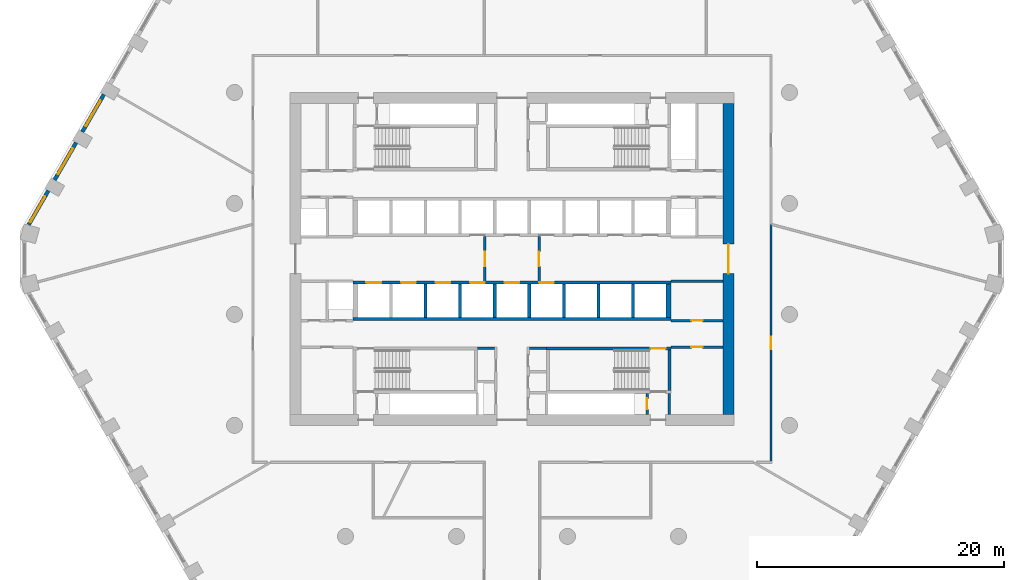
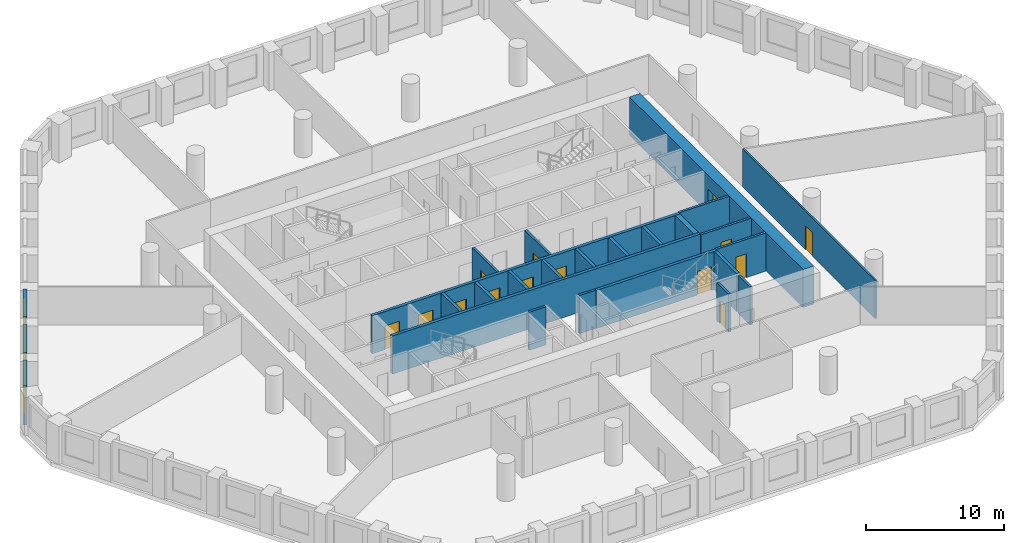
# One storey, part 4 of 9: 26 walls, 14 doors, 3 windows, 17 openings.
"""IFC4 building model written with IfcOpenShell, lengths in metres."""

from ifc_helpers import new_model, si_unit, direction, frame, frame_2d, origin, place, context, subcontext, project, spatial, polyline, rectangle, outline, extrude, material, layer, layer_set, type_object, element, fill, save


model = new_model("IFC4")

# Units and contexts
model_context = context("Model", 3, precision=1e-05, world=origin(), true_north=direction((0.0, 1.0)))
body_context = subcontext(model_context, "Body", "Model", "MODEL_VIEW")
ifc_project = project(units=[si_unit("LENGTHUNIT", "METRE"), si_unit("AREAUNIT", "SQUARE_METRE"), si_unit("VOLUMEUNIT", "CUBIC_METRE"), si_unit("PLANEANGLEUNIT", "RADIAN"), si_unit("MASSUNIT", "GRAM", prefix="KILO")], contexts=[model_context])

# Site, building, storey
site_placement = place(None, origin())
site = spatial("IfcSite", under=ifc_project, at=site_placement, CompositionType="ELEMENT")
building_placement = place(site_placement, origin())
building = spatial("IfcBuilding", under=site, at=building_placement, Name="Dhurran Vertical Campus", CompositionType="ELEMENT")
storey_placement = place(building_placement, frame((0.0, 0.0, 124.199951171875)))
storey = spatial("IfcBuildingStorey", under=building, at=storey_placement, Name="L30", CompositionType="ELEMENT", Elevation=124.199951171875)

# Wall, opening, window
ifc_material_1 = material(Name="Precast concrete C50/60", Category="concrete")
ifc_layer_1 = layer(ifc_material_1, 0.300048828125)
ifc_layer_set_1 = layer_set([ifc_layer_1], Name="Precast concrete C50/60")
wall_type_1 = type_object("IfcWallType", Name="Precast spandrel wall 300", PredefinedType="SOLIDWALL", material=ifc_layer_set_1)
wall_1_placement = place(storey_placement, frame((-33.09423828125, 13.3330078125, 0.0), z_axis=(0.0, 0.0, 1.0), x_axis=(-0.499996256241, -0.866027565234, 0.0)))
wall_1 = element("IfcWall", 1, at=wall_1_placement, inside=storey, type_object=wall_type_1, Name="EW1 L30.40", PredefinedType="SOLIDWALL", context=body_context, shape_type="SweptSolid", body=[
    extrude(rectangle(XDim=3.4990234375, YDim=0.300048828125, at=frame_2d((1.74951171875, 0.0))), origin(), (0.0, 0.0, 1.0), 3.5),
])
opening_1_placement = place(wall_1_placement, frame((0.549560546875, 0.0, 0.89990234375)))
opening_1 = element("IfcOpeningElement", 2, at=opening_1_placement, cuts=wall_1, Name="Opening WT1", PredefinedType="OPENING", context=body_context, shape_type="SweptSolid", body=[
    extrude(rectangle(XDim=2.39990234375, YDim=2.10009765625, at=frame_2d((1.199951171875, 1.050048828125))), frame((0.0, 0.159912109375, 0.0), z_axis=(0.0, -1.0, 0.0), x_axis=(1.0, 0.0, 0.0)), (0.0, 0.0, 1.0), 0.320068359375),
])
ifc_material_2 = material(Name="Aluminium frame with solar-control glass", Category="aluminium")
window_type = type_object("IfcWindowType", Name="Punched window 2400 x 2100", PartitioningType="SINGLE_PANEL", PredefinedType="WINDOW", material=ifc_material_2)
window_1_placement = place(opening_1_placement, origin())
window_1 = element("IfcWindow", 3, at=window_1_placement, inside=storey, type_object=window_type, Name="WT1 L30.40", OverallHeight=2.10009765625, OverallWidth=2.39990234375, PartitioningType="SINGLE_PANEL", PredefinedType="WINDOW", context=body_context, shape_type="SweptSolid", body=[
    extrude(rectangle(XDim=2.39990234375, YDim=2.10009765625, at=frame_2d((1.199951171875, 1.050048828125))), frame((0.0, 0.030029296875, 0.0), z_axis=(0.0, -1.0, 0.0), x_axis=(1.0, 0.0, 0.0)), (0.0, 0.0, 1.0), 0.06005859375),
])
fill(opening_1, window_1)

wall_2_placement = place(storey_placement, frame((-35.34423828125, 9.435791015625, 0.0), z_axis=(0.0, 0.0, 1.0), x_axis=(-0.499996256241, -0.866027565234, 0.0)))
wall_2 = element("IfcWall", 4, at=wall_2_placement, inside=storey, type_object=wall_type_1, Name="EW1 L30.41", PredefinedType="SOLIDWALL", context=body_context, shape_type="SweptSolid", body=[
    extrude(rectangle(XDim=3.4990234375, YDim=0.300048828125, at=frame_2d((1.74951171875, 0.0))), origin(), (0.0, 0.0, 1.0), 3.5),
])
opening_2_placement = place(wall_2_placement, frame((0.549560546875, 0.0, 0.89990234375)))
opening_2 = element("IfcOpeningElement", 5, at=opening_2_placement, cuts=wall_2, Name="Opening WT1", PredefinedType="OPENING", context=body_context, shape_type="SweptSolid", body=[
    extrude(rectangle(XDim=2.39990234375, YDim=2.10009765625, at=frame_2d((1.199951171875, 1.050048828125))), frame((0.0, 0.159912109375, 0.0), z_axis=(0.0, -1.0, 0.0), x_axis=(1.0, 0.0, 0.0)), (0.0, 0.0, 1.0), 0.320068359375),
])
window_2_placement = place(opening_2_placement, origin())
window_2 = element("IfcWindow", 6, at=window_2_placement, inside=storey, type_object=window_type, Name="WT1 L30.41", OverallHeight=2.10009765625, OverallWidth=2.39990234375, PartitioningType="SINGLE_PANEL", PredefinedType="WINDOW", context=body_context, shape_type="SweptSolid", body=[
    extrude(rectangle(XDim=2.39990234375, YDim=2.10009765625, at=frame_2d((1.199951171875, 1.050048828125))), frame((0.0, 0.030029296875, 0.0), z_axis=(0.0, -1.0, 0.0), x_axis=(1.0, 0.0, 0.0)), (0.0, 0.0, 1.0), 0.06005859375),
])
fill(opening_2, window_2)

wall_3_placement = place(storey_placement, frame((-37.59423828125, 5.538818359375, 0.0), z_axis=(0.0, 0.0, 1.0), x_axis=(-0.500004907028, -0.866022570692, 0.0)))
wall_3 = element("IfcWall", 7, at=wall_3_placement, inside=storey, type_object=wall_type_1, Name="EW1 L30.42", PredefinedType="SOLIDWALL", context=body_context, shape_type="SweptSolid", body=[
    extrude(rectangle(XDim=3.1923828125, YDim=0.300048828125, at=frame_2d((1.59619140625, 0.0))), origin(), (0.0, 0.0, 1.0), 3.5),
])
opening_3_placement = place(wall_3_placement, frame((0.549560546875, 0.0, 0.89990234375)))
opening_3 = element("IfcOpeningElement", 8, at=opening_3_placement, cuts=wall_3, Name="Opening WT1", PredefinedType="OPENING", context=body_context, shape_type="SweptSolid", body=[
    extrude(rectangle(XDim=2.39990234375, YDim=2.10009765625, at=frame_2d((1.199951171875, 1.050048828125))), frame((0.0, 0.159912109375, 0.0), z_axis=(0.0, -1.0, 0.0), x_axis=(1.0, 0.0, 0.0)), (0.0, 0.0, 1.0), 0.320068359375),
])
window_3_placement = place(opening_3_placement, origin())
window_3 = element("IfcWindow", 9, at=window_3_placement, inside=storey, type_object=window_type, Name="WT1 L30.42", OverallHeight=2.10009765625, OverallWidth=2.39990234375, PartitioningType="SINGLE_PANEL", PredefinedType="WINDOW", context=body_context, shape_type="SweptSolid", body=[
    extrude(rectangle(XDim=2.39990234375, YDim=2.10009765625, at=frame_2d((1.199951171875, 1.050048828125))), frame((0.0, 0.030029296875, 0.0), z_axis=(0.0, -1.0, 0.0), x_axis=(1.0, 0.0, 0.0)), (0.0, 0.0, 1.0), 0.06005859375),
])
fill(opening_3, window_3)

# Wall, opening, door
ifc_material_3 = material(Name="Concrete C60/75", Category="concrete")
ifc_layer_2 = layer(ifc_material_3, 0.89990234375)
ifc_layer_set_2 = layer_set([ifc_layer_2], Name="Concrete C60/75")
wall_type_2 = type_object("IfcWallType", Name="co-CORE-WALL-C0-900", PredefinedType="SHEAR", material=ifc_layer_set_2)
wall_4_placement = place(storey_placement, frame((17.550048828125, -12.60009765625, 0.0), z_axis=(0.0, 0.0, 1.0), x_axis=(0.0, 1.0, 0.0)))
wall_4 = element("IfcWall", 10, at=wall_4_placement, inside=storey, type_object=wall_type_2, Name="Core wall E L30", PredefinedType="SHEAR", context=body_context, shape_type="SweptSolid", body=[
    extrude(rectangle(XDim=25.2001953125, YDim=0.89990234375, at=frame_2d((12.60009765625, 0.0))), origin(), (0.0, 0.0, 1.0), 3.375),
])
opening_4_placement = place(wall_4_placement, frame((11.39990234375, 0.0, 0.0)))
opening_4 = element("IfcOpeningElement", 11, at=opening_4_placement, cuts=wall_4, Name="Opening CL2", PredefinedType="OPENING", context=body_context, shape_type="SweptSolid", body=[
    extrude(rectangle(XDim=2.39990234375, YDim=2.10009765625, at=frame_2d((1.199951171875, 1.050048828125))), frame((0.0, 0.4599609375, 0.0), z_axis=(0.0, -1.0, 0.0), x_axis=(1.0, 0.0, 0.0)), (0.0, 0.0, 1.0), 0.919921875),
])
ifc_material_4 = material(Name="Fire-rated glazed door set")
door_type_1 = type_object("IfcDoorType", Name="co-D-LOBBY 2400x2100", OperationType="DOUBLE_DOOR_DOUBLE_SWING", PredefinedType="DOOR", material=ifc_material_4)
door_1_placement = place(opening_4_placement, origin())
door_1 = element("IfcDoor", 12, at=door_1_placement, inside=storey, type_object=door_type_1, Name="Lift lobby door E L30", OperationType="DOUBLE_DOOR_DOUBLE_SWING", OverallHeight=2.10009765625, OverallWidth=2.39990234375, PredefinedType="DOOR", context=body_context, shape_type="SweptSolid", body=[
    extrude(rectangle(XDim=2.39990234375, YDim=2.10009765625, at=frame_2d((1.199951171875, 1.050048828125))), frame((0.0, 0.02490234375, 0.0), z_axis=(0.0, -1.0, 0.0), x_axis=(1.0, 0.0, 0.0)), (0.0, 0.0, 1.0), 0.050048828125),
])
fill(opening_4, door_1)

ifc_material_5 = material(Name="Fire-rated masonry blockwork", Category="masonry")
ifc_layer_3 = layer(ifc_material_5, 0.199951171875)
ifc_layer_set_3 = layer_set([ifc_layer_3], Name="Fire-rated masonry blockwork")
wall_type_3 = type_object("IfcWallType", Name="co-FIRE-PARTITION-200", PredefinedType="PARTITIONING", material=ifc_layer_set_3)
wall_5_placement = place(storey_placement, frame((-2.199951171875, -1.800048828125, 0.0), z_axis=(0.0, 0.0, 1.0), x_axis=(0.0, 1.0, 0.0)))
wall_5 = element("IfcWall", 13, at=wall_5_placement, inside=storey, type_object=wall_type_3, Name="Firefighting lobby wall W L30", PredefinedType="PARTITIONING", context=body_context, shape_type="SweptSolid", body=[
    extrude(rectangle(XDim=3.60009765625, YDim=0.199951171875, at=frame_2d((1.800048828125, 0.0))), origin(), (0.0, 0.0, 1.0), 3.375),
])
opening_5_placement = place(wall_5_placement, frame((1.199951171875, 0.0, 0.0)))
opening_5 = element("IfcOpeningElement", 14, at=opening_5_placement, cuts=wall_5, Name="Opening FL1", PredefinedType="OPENING", context=body_context, shape_type="SweptSolid", body=[
    extrude(rectangle(XDim=1.199951171875, YDim=2.10009765625, at=frame_2d((0.60009765625, 1.050048828125))), frame((0.0, 0.10986328125, 0.0), z_axis=(0.0, -1.0, 0.0), x_axis=(1.0, 0.0, 0.0)), (0.0, 0.0, 1.0), 0.219970703125),
])
ifc_material_6 = material(Name="Fire-rated steel door set", Category="steel")
door_type_2 = type_object("IfcDoorType", Name="co-D-FFLOBBY 1200x2100", OperationType="SINGLE_SWING_LEFT", PredefinedType="DOOR", material=ifc_material_6)
door_2_placement = place(opening_5_placement, origin())
door_2 = element("IfcDoor", 15, at=door_2_placement, inside=storey, type_object=door_type_2, Name="Firefighting lobby door W L30", OperationType="SINGLE_SWING_LEFT", OverallHeight=2.10009765625, OverallWidth=1.199951171875, PredefinedType="DOOR", context=body_context, shape_type="SweptSolid", body=[
    extrude(rectangle(XDim=1.199951171875, YDim=2.10009765625, at=frame_2d((0.60009765625, 1.050048828125))), frame((0.0, 0.02490234375, 0.0), z_axis=(0.0, -1.0, 0.0), x_axis=(1.0, 0.0, 0.0)), (0.0, 0.0, 1.0), 0.050048828125),
])
fill(opening_5, door_2)

wall_6_placement = place(storey_placement, frame((2.199951171875, -1.800048828125, 0.0), z_axis=(0.0, 0.0, 1.0), x_axis=(0.0, 1.0, 0.0)))
wall_6 = element("IfcWall", 16, at=wall_6_placement, inside=storey, type_object=wall_type_3, Name="Firefighting lobby wall E L30", PredefinedType="PARTITIONING", context=body_context, shape_type="SweptSolid", body=[
    extrude(rectangle(XDim=3.60009765625, YDim=0.199951171875, at=frame_2d((1.800048828125, 0.0))), origin(), (0.0, 0.0, 1.0), 3.375),
])
opening_6_placement = place(wall_6_placement, frame((1.199951171875, 0.0, 0.0)))
opening_6 = element("IfcOpeningElement", 17, at=opening_6_placement, cuts=wall_6, Name="Opening FL2", PredefinedType="OPENING", context=body_context, shape_type="SweptSolid", body=[
    extrude(rectangle(XDim=1.199951171875, YDim=2.10009765625, at=frame_2d((0.60009765625, 1.050048828125))), frame((0.0, 0.10986328125, 0.0), z_axis=(0.0, -1.0, 0.0), x_axis=(1.0, 0.0, 0.0)), (0.0, 0.0, 1.0), 0.219970703125),
])
door_3_placement = place(opening_6_placement, origin())
door_3 = element("IfcDoor", 18, at=door_3_placement, inside=storey, type_object=door_type_2, Name="Firefighting lobby door E L30", OperationType="SINGLE_SWING_LEFT", OverallHeight=2.10009765625, OverallWidth=1.199951171875, PredefinedType="DOOR", context=body_context, shape_type="SweptSolid", body=[
    extrude(rectangle(XDim=1.199951171875, YDim=2.10009765625, at=frame_2d((0.60009765625, 1.050048828125))), frame((0.0, 0.02490234375, 0.0), z_axis=(0.0, -1.0, 0.0), x_axis=(1.0, 0.0, 0.0)), (0.0, 0.0, 1.0), 0.050048828125),
])
fill(opening_6, door_3)

# Walls
for number, where, z_axis, x_axis, name in (
    (19, (-2.800048828125, -7.25, 0.0), (0.0, 0.0, 1.0), (1.0, 0.0, 0.0), "Core partition sl-SW-S L30"),
    (20, (1.39990234375, -7.25, 0.0), (0.0, 0.0, 1.0), (1.0, 0.0, 0.0), "Core partition sl-SE-S L30"),
):
    element("IfcWall", number, at=place(storey_placement, frame(where, z_axis=z_axis, x_axis=x_axis)), inside=storey, type_object=wall_type_3, Name=name, PredefinedType="PARTITIONING", context=body_context, shape_type="SweptSolid", body=[
        extrude(rectangle(XDim=1.400146484375, YDim=0.199951171875, at=frame_2d((0.7001953125, 0.0))), origin(), (0.0, 0.0, 1.0), 3.375),
    ])
wall_7_placement = place(storey_placement, frame((12.75, -12.60009765625, 0.0), z_axis=(0.0, 0.0, 1.0), x_axis=(0.0, 1.0, 0.0)))
element("IfcWall", 21, at=wall_7_placement, inside=storey, type_object=wall_type_3, Name="Core partition pass-ST4-o L30", PredefinedType="PARTITIONING", context=body_context, shape_type="SweptSolid", body=[
    extrude(rectangle(XDim=1.7001953125, YDim=0.199951171875, at=frame_2d((0.85009765625, 0.0))), origin(), (0.0, 0.0, 1.0), 3.375),
])

# Wall, opening, door
wall_8_placement = place(storey_placement, frame((10.949951171875, -12.60009765625, 0.0), z_axis=(0.0, 0.0, 1.0), x_axis=(0.0, 1.0, 0.0)))
wall_8 = element("IfcWall", 22, at=wall_8_placement, inside=storey, type_object=wall_type_3, Name="Core partition pass-ST4-i L30", PredefinedType="PARTITIONING", context=body_context, shape_type="SweptSolid", body=[
    extrude(rectangle(XDim=1.7001953125, YDim=0.199951171875, at=frame_2d((0.85009765625, 0.0))), origin(), (0.0, 0.0, 1.0), 3.375),
])
opening_7_placement = place(wall_8_placement, frame((0.39990234375, 0.0, 0.0)))
opening_7 = element("IfcOpeningElement", 23, at=opening_7_placement, cuts=wall_8, Name="Opening T08-C12", PredefinedType="OPENING", context=body_context, shape_type="SweptSolid", body=[
    extrude(rectangle(XDim=0.89990234375, YDim=2.10009765625, at=frame_2d((0.449951171875, 1.050048828125))), frame((0.0, 0.10986328125, 0.0), z_axis=(0.0, -1.0, 0.0), x_axis=(1.0, 0.0, 0.0)), (0.0, 0.0, 1.0), 0.219970703125),
])
ifc_material_7 = material(Name="Fire-rated timber door set", Category="wood")
door_type_3 = type_object("IfcDoorType", Name="co-D-ROOM 900x2100", OperationType="SINGLE_SWING_LEFT", PredefinedType="DOOR", material=ifc_material_7)
door_4_placement = place(opening_7_placement, origin())
door_4 = element("IfcDoor", 24, at=door_4_placement, inside=storey, type_object=door_type_3, Name="Riser room door L30", OperationType="SINGLE_SWING_LEFT", OverallHeight=2.10009765625, OverallWidth=0.89990234375, PredefinedType="DOOR", context=body_context, shape_type="SweptSolid", body=[
    extrude(rectangle(XDim=0.89990234375, YDim=2.10009765625, at=frame_2d((0.449951171875, 1.050048828125))), frame((0.0, 0.02490234375, 0.0), z_axis=(0.0, -1.0, 0.0), x_axis=(1.0, 0.0, 0.0)), (0.0, 0.0, 1.0), 0.050048828125),
])
fill(opening_7, door_4)

wall_9_placement = place(storey_placement, frame((12.89990234375, -7.14990234375, 0.0), z_axis=(0.0, 0.0, 1.0), x_axis=(1.0, 0.0, 0.0)))
wall_9 = element("IfcWall", 25, at=wall_9_placement, inside=storey, type_object=wall_type_3, Name="Core partition en-SE-w L30", PredefinedType="PARTITIONING", context=body_context, shape_type="SweptSolid", body=[
    extrude(rectangle(XDim=4.2001953125, YDim=0.199951171875, at=frame_2d((2.10009765625, 0.0))), origin(), (0.0, 0.0, 1.0), 3.375),
])
opening_8_placement = place(wall_9_placement, frame((1.64990234375, 0.0, 0.0)))
opening_8 = element("IfcOpeningElement", 26, at=opening_8_placement, cuts=wall_9, Name="Opening T08-C24", PredefinedType="OPENING", context=body_context, shape_type="SweptSolid", body=[
    extrude(rectangle(XDim=0.89990234375, YDim=2.10009765625, at=frame_2d((0.449951171875, 1.050048828125))), frame((0.0, 0.10986328125, 0.0), z_axis=(0.0, -1.0, 0.0), x_axis=(1.0, 0.0, 0.0)), (0.0, 0.0, 1.0), 0.219970703125),
])
door_5_placement = place(opening_8_placement, origin())
door_5 = element("IfcDoor", 27, at=door_5_placement, inside=storey, type_object=door_type_3, Name="Waste room door L30", OperationType="SINGLE_SWING_LEFT", OverallHeight=2.10009765625, OverallWidth=0.89990234375, PredefinedType="DOOR", context=body_context, shape_type="SweptSolid", body=[
    extrude(rectangle(XDim=0.89990234375, YDim=2.10009765625, at=frame_2d((0.449951171875, 1.050048828125))), frame((0.0, 0.02490234375, 0.0), z_axis=(0.0, -1.0, 0.0), x_axis=(1.0, 0.0, 0.0)), (0.0, 0.0, 1.0), 0.050048828125),
])
fill(opening_8, door_5)

wall_10_placement = place(storey_placement, frame((12.89990234375, -5.0, 0.0), z_axis=(0.0, 0.0, 1.0), x_axis=(1.0, 0.0, 0.0)))
wall_10 = element("IfcWall", 28, at=wall_10_placement, inside=storey, type_object=wall_type_3, Name="Core partition es-SE-w L30", PredefinedType="PARTITIONING", context=body_context, shape_type="SweptSolid", body=[
    extrude(rectangle(XDim=4.2001953125, YDim=0.199951171875, at=frame_2d((2.10009765625, 0.0))), origin(), (0.0, 0.0, 1.0), 3.375),
])
opening_9_placement = place(wall_10_placement, frame((1.64990234375, 0.0, 0.0)))
opening_9 = element("IfcOpeningElement", 29, at=opening_9_placement, cuts=wall_10, Name="Opening T08-C25", PredefinedType="OPENING", context=body_context, shape_type="SweptSolid", body=[
    extrude(rectangle(XDim=0.89990234375, YDim=2.10009765625, at=frame_2d((0.449951171875, 1.050048828125))), frame((0.0, 0.10986328125, 0.0), z_axis=(0.0, -1.0, 0.0), x_axis=(1.0, 0.0, 0.0)), (0.0, 0.0, 1.0), 0.219970703125),
])
door_6_placement = place(opening_9_placement, origin())
door_6 = element("IfcDoor", 30, at=door_6_placement, inside=storey, type_object=door_type_3, Name="Store door L30", OperationType="SINGLE_SWING_LEFT", OverallHeight=2.10009765625, OverallWidth=0.89990234375, PredefinedType="DOOR", context=body_context, shape_type="SweptSolid", body=[
    extrude(rectangle(XDim=0.89990234375, YDim=2.10009765625, at=frame_2d((0.449951171875, 1.050048828125))), frame((0.0, 0.02490234375, 0.0), z_axis=(0.0, -1.0, 0.0), x_axis=(1.0, 0.0, 0.0)), (0.0, 0.0, 1.0), 0.050048828125),
])
fill(opening_9, door_6)

# Wall
wall_11_placement = place(storey_placement, frame((12.89990234375, -1.800048828125, 0.0), z_axis=(0.0, 0.0, 1.0), x_axis=(1.0, 0.0, 0.0)))
element("IfcWall", 31, at=wall_11_placement, inside=storey, type_object=wall_type_3, Name="Core partition es-SE-l L30", PredefinedType="PARTITIONING", context=body_context, shape_type="SweptSolid", body=[
    extrude(rectangle(XDim=4.2001953125, YDim=0.199951171875, at=frame_2d((2.10009765625, 0.0))), origin(), (0.0, 0.0, 1.0), 3.375),
])

# Wall, openings, doors
ifc_material_8 = material(Name="Concrete C50/60", Category="concrete")
ifc_layer_4 = layer(ifc_material_8, 0.25)
ifc_layer_set_4 = layer_set([ifc_layer_4], Name="Concrete C50/60")
wall_type_4 = type_object("IfcWallType", Name="co-SHAFT-FRONT-250", PredefinedType="SHEAR", material=ifc_layer_set_4)
wall_12_placement = place(storey_placement, frame((-12.89990234375, -1.925048828125, 0.0), z_axis=(0.0, 0.0, 1.0), x_axis=(1.0, 0.0, 0.0)))
wall_12 = element("IfcWall", 32, at=wall_12_placement, inside=storey, type_object=wall_type_4, Name="Lift landing wall S L30", PredefinedType="SHEAR", context=body_context, shape_type="SweptSolid", body=[
    extrude(rectangle(XDim=25.7998046875, YDim=0.25, at=frame_2d((12.89990234375, 0.0))), origin(), (0.0, 0.0, 1.0), 3.375),
])
opening_10_placement = place(wall_12_placement, frame((1.10009765625, 0.0, 0.0)))
opening_10 = element("IfcOpeningElement", 33, at=opening_10_placement, cuts=wall_12, Name="Opening LD", PredefinedType="OPENING", context=body_context, shape_type="SweptSolid", body=[
    extrude(rectangle(XDim=1.199951171875, YDim=2.10009765625, at=frame_2d((0.60009765625, 1.050048828125))), frame((0.0, 0.135009765625, 0.0), z_axis=(0.0, -1.0, 0.0), x_axis=(1.0, 0.0, 0.0)), (0.0, 0.0, 1.0), 0.27001953125),
])
opening_11_placement = place(wall_12_placement, frame((3.89990234375, 0.0, 0.0)))
opening_11 = element("IfcOpeningElement", 34, at=opening_11_placement, cuts=wall_12, Name="Opening LD", PredefinedType="OPENING", context=body_context, shape_type="SweptSolid", body=[
    extrude(rectangle(XDim=1.199951171875, YDim=2.10009765625, at=frame_2d((0.60009765625, 1.050048828125))), frame((0.0, 0.135009765625, 0.0), z_axis=(0.0, -1.0, 0.0), x_axis=(1.0, 0.0, 0.0)), (0.0, 0.0, 1.0), 0.27001953125),
])
opening_12_placement = place(wall_12_placement, frame((6.699951171875, 0.0, 0.0)))
opening_12 = element("IfcOpeningElement", 35, at=opening_12_placement, cuts=wall_12, Name="Opening LD", PredefinedType="OPENING", context=body_context, shape_type="SweptSolid", body=[
    extrude(rectangle(XDim=1.199951171875, YDim=2.10009765625, at=frame_2d((0.60009765625, 1.050048828125))), frame((0.0, 0.135009765625, 0.0), z_axis=(0.0, -1.0, 0.0), x_axis=(1.0, 0.0, 0.0)), (0.0, 0.0, 1.0), 0.27001953125),
])
opening_13_placement = place(wall_12_placement, frame((9.5, 0.0, 0.0)))
opening_13 = element("IfcOpeningElement", 36, at=opening_13_placement, cuts=wall_12, Name="Opening LD", PredefinedType="OPENING", context=body_context, shape_type="SweptSolid", body=[
    extrude(rectangle(XDim=1.199951171875, YDim=2.10009765625, at=frame_2d((0.60009765625, 1.050048828125))), frame((0.0, 0.135009765625, 0.0), z_axis=(0.0, -1.0, 0.0), x_axis=(1.0, 0.0, 0.0)), (0.0, 0.0, 1.0), 0.27001953125),
])
opening_14_placement = place(wall_12_placement, frame((12.300048828125, 0.0, 0.0)))
opening_14 = element("IfcOpeningElement", 37, at=opening_14_placement, cuts=wall_12, Name="Opening LD", PredefinedType="OPENING", context=body_context, shape_type="SweptSolid", body=[
    extrude(rectangle(XDim=1.199951171875, YDim=2.10009765625, at=frame_2d((0.60009765625, 1.050048828125))), frame((0.0, 0.135009765625, 0.0), z_axis=(0.0, -1.0, 0.0), x_axis=(1.0, 0.0, 0.0)), (0.0, 0.0, 1.0), 0.27001953125),
])
opening_15_placement = place(wall_12_placement, frame((15.10009765625, 0.0, 0.0)))
opening_15 = element("IfcOpeningElement", 38, at=opening_15_placement, cuts=wall_12, Name="Opening LD", PredefinedType="OPENING", context=body_context, shape_type="SweptSolid", body=[
    extrude(rectangle(XDim=1.199951171875, YDim=2.10009765625, at=frame_2d((0.60009765625, 1.050048828125))), frame((0.0, 0.135009765625, 0.0), z_axis=(0.0, -1.0, 0.0), x_axis=(1.0, 0.0, 0.0)), (0.0, 0.0, 1.0), 0.27001953125),
])
ifc_material_9 = material(Name="Stainless steel landing door", Category="steel")
door_type_4 = type_object("IfcDoorType", Name="co-D-LANDING 1200x2100", OperationType="DOUBLE_DOOR_SLIDING", PredefinedType="DOOR", material=ifc_material_9)
door_7_placement = place(opening_10_placement, origin())
door_7 = element("IfcDoor", 39, at=door_7_placement, inside=storey, type_object=door_type_4, Name="Landing door LR5 L30", OperationType="DOUBLE_DOOR_SLIDING", OverallHeight=2.10009765625, OverallWidth=1.199951171875, PredefinedType="DOOR", context=body_context, shape_type="SweptSolid", body=[
    extrude(rectangle(XDim=1.199951171875, YDim=2.10009765625, at=frame_2d((0.60009765625, 1.050048828125))), frame((0.0, 0.02490234375, 0.0), z_axis=(0.0, -1.0, 0.0), x_axis=(1.0, 0.0, 0.0)), (0.0, 0.0, 1.0), 0.050048828125),
])
fill(opening_10, door_7)
door_8_placement = place(opening_11_placement, origin())
door_8 = element("IfcDoor", 40, at=door_8_placement, inside=storey, type_object=door_type_4, Name="Landing door LR6 L30", OperationType="DOUBLE_DOOR_SLIDING", OverallHeight=2.10009765625, OverallWidth=1.199951171875, PredefinedType="DOOR", context=body_context, shape_type="SweptSolid", body=[
    extrude(rectangle(XDim=1.199951171875, YDim=2.10009765625, at=frame_2d((0.60009765625, 1.050048828125))), frame((0.0, 0.02490234375, 0.0), z_axis=(0.0, -1.0, 0.0), x_axis=(1.0, 0.0, 0.0)), (0.0, 0.0, 1.0), 0.050048828125),
])
fill(opening_11, door_8)
door_9_placement = place(opening_12_placement, origin())
door_9 = element("IfcDoor", 41, at=door_9_placement, inside=storey, type_object=door_type_4, Name="Landing door LR7 L30", OperationType="DOUBLE_DOOR_SLIDING", OverallHeight=2.10009765625, OverallWidth=1.199951171875, PredefinedType="DOOR", context=body_context, shape_type="SweptSolid", body=[
    extrude(rectangle(XDim=1.199951171875, YDim=2.10009765625, at=frame_2d((0.60009765625, 1.050048828125))), frame((0.0, 0.02490234375, 0.0), z_axis=(0.0, -1.0, 0.0), x_axis=(1.0, 0.0, 0.0)), (0.0, 0.0, 1.0), 0.050048828125),
])
fill(opening_12, door_9)
door_10_placement = place(opening_13_placement, origin())
door_10 = element("IfcDoor", 42, at=door_10_placement, inside=storey, type_object=door_type_4, Name="Landing door LR8 L30", OperationType="DOUBLE_DOOR_SLIDING", OverallHeight=2.10009765625, OverallWidth=1.199951171875, PredefinedType="DOOR", context=body_context, shape_type="SweptSolid", body=[
    extrude(rectangle(XDim=1.199951171875, YDim=2.10009765625, at=frame_2d((0.60009765625, 1.050048828125))), frame((0.0, 0.02490234375, 0.0), z_axis=(0.0, -1.0, 0.0), x_axis=(1.0, 0.0, 0.0)), (0.0, 0.0, 1.0), 0.050048828125),
])
fill(opening_13, door_10)
door_11_placement = place(opening_14_placement, origin())
door_11 = element("IfcDoor", 43, at=door_11_placement, inside=storey, type_object=door_type_4, Name="Landing door FF2 L30", OperationType="DOUBLE_DOOR_SLIDING", OverallHeight=2.10009765625, OverallWidth=1.199951171875, PredefinedType="DOOR", context=body_context, shape_type="SweptSolid", body=[
    extrude(rectangle(XDim=1.199951171875, YDim=2.10009765625, at=frame_2d((0.60009765625, 1.050048828125))), frame((0.0, 0.02490234375, 0.0), z_axis=(0.0, -1.0, 0.0), x_axis=(1.0, 0.0, 0.0)), (0.0, 0.0, 1.0), 0.050048828125),
])
fill(opening_14, door_11)
door_12_placement = place(opening_15_placement, origin())
door_12 = element("IfcDoor", 44, at=door_12_placement, inside=storey, type_object=door_type_4, Name="Landing door SV1 L30", OperationType="DOUBLE_DOOR_SLIDING", OverallHeight=2.10009765625, OverallWidth=1.199951171875, PredefinedType="DOOR", context=body_context, shape_type="SweptSolid", body=[
    extrude(rectangle(XDim=1.199951171875, YDim=2.10009765625, at=frame_2d((0.60009765625, 1.050048828125))), frame((0.0, 0.02490234375, 0.0), z_axis=(0.0, -1.0, 0.0), x_axis=(1.0, 0.0, 0.0)), (0.0, 0.0, 1.0), 0.050048828125),
])
fill(opening_15, door_12)

# Walls
ifc_material_10 = material(Name="Concrete C50/60", Category="concrete")
ifc_layer_5 = layer(ifc_material_10, 0.25)
ifc_layer_set_5 = layer_set([ifc_layer_5], Name="Concrete C50/60")
wall_type_5 = type_object("IfcWallType", Name="co-SHAFT-MASS-250", PredefinedType="SHEAR", material=ifc_layer_set_5)
wall_13_placement = place(storey_placement, origin())
element("IfcWall", 45, at=wall_13_placement, inside=storey, type_object=wall_type_5, Name="Lift shaft wall S L30 1", PredefinedType="SHEAR", context=body_context, shape_type="SweptSolid", body=[
    extrude(outline(polyline([(-12.89990234375, -5.0), (12.89990234375, -5.0), (12.89990234375, -4.75), (-12.89990234375, -4.75), (-12.89990234375, -5.0)])), origin(), (0.0, 0.0, 1.0), 3.375),
])
wall_14_placement = place(storey_placement, origin())
element("IfcWall", 46, at=wall_14_placement, inside=storey, type_object=wall_type_5, Name="Lift shaft wall S L30 4", PredefinedType="SHEAR", context=body_context, shape_type="SweptSolid", body=[
    extrude(outline(polyline([(-7.125, -4.75), (-6.875, -4.75), (-6.875, -2.050048828125), (-7.125, -2.050048828125), (-7.125, -4.75)])), origin(), (0.0, 0.0, 1.0), 3.375),
])
wall_15_placement = place(storey_placement, origin())
element("IfcWall", 47, at=wall_15_placement, inside=storey, type_object=wall_type_5, Name="Lift shaft wall S L30 5", PredefinedType="SHEAR", context=body_context, shape_type="SweptSolid", body=[
    extrude(outline(polyline([(-4.324951171875, -4.75), (-4.074951171875, -4.75), (-4.074951171875, -2.050048828125), (-4.324951171875, -2.050048828125), (-4.324951171875, -4.75)])), origin(), (0.0, 0.0, 1.0), 3.375),
])
wall_16_placement = place(storey_placement, origin())
element("IfcWall", 48, at=wall_16_placement, inside=storey, type_object=wall_type_5, Name="Lift shaft wall S L30 6", PredefinedType="SHEAR", context=body_context, shape_type="SweptSolid", body=[
    extrude(outline(polyline([(-1.52490234375, -4.75), (-1.27490234375, -4.75), (-1.27490234375, -2.050048828125), (-1.52490234375, -2.050048828125), (-1.52490234375, -4.75)])), origin(), (0.0, 0.0, 1.0), 3.375),
])
wall_17_placement = place(storey_placement, origin())
element("IfcWall", 49, at=wall_17_placement, inside=storey, type_object=wall_type_5, Name="Lift shaft wall S L30 7", PredefinedType="SHEAR", context=body_context, shape_type="SweptSolid", body=[
    extrude(outline(polyline([(1.27490234375, -4.75), (1.52490234375, -4.75), (1.52490234375, -2.050048828125), (1.27490234375, -2.050048828125), (1.27490234375, -4.75)])), origin(), (0.0, 0.0, 1.0), 3.375),
])
wall_18_placement = place(storey_placement, origin())
element("IfcWall", 50, at=wall_18_placement, inside=storey, type_object=wall_type_5, Name="Lift shaft wall S L30 8", PredefinedType="SHEAR", context=body_context, shape_type="SweptSolid", body=[
    extrude(outline(polyline([(4.074951171875, -4.75), (4.324951171875, -4.75), (4.324951171875, -2.050048828125), (4.074951171875, -2.050048828125), (4.074951171875, -4.75)])), origin(), (0.0, 0.0, 1.0), 3.375),
])
wall_19_placement = place(storey_placement, origin())
element("IfcWall", 51, at=wall_19_placement, inside=storey, type_object=wall_type_5, Name="Lift shaft wall S L30 9", PredefinedType="SHEAR", context=body_context, shape_type="SweptSolid", body=[
    extrude(outline(polyline([(6.875, -4.75), (7.125, -4.75), (7.125, -2.050048828125), (6.875, -2.050048828125), (6.875, -4.75)])), origin(), (0.0, 0.0, 1.0), 3.375),
])
wall_20_placement = place(storey_placement, origin())
element("IfcWall", 52, at=wall_20_placement, inside=storey, type_object=wall_type_5, Name="Lift shaft wall S L30 10", PredefinedType="SHEAR", context=body_context, shape_type="SweptSolid", body=[
    extrude(outline(polyline([(9.675048828125, -4.75), (9.925048828125, -4.75), (9.925048828125, -2.050048828125), (9.675048828125, -2.050048828125), (9.675048828125, -4.75)])), origin(), (0.0, 0.0, 1.0), 3.375),
])
wall_21_placement = place(storey_placement, origin())
element("IfcWall", 53, at=wall_21_placement, inside=storey, type_object=wall_type_5, Name="Lift shaft wall S L30 11", PredefinedType="SHEAR", context=body_context, shape_type="SweptSolid", body=[
    extrude(outline(polyline([(12.47509765625, -4.75), (12.89990234375, -4.75), (12.89990234375, -2.050048828125), (12.47509765625, -2.050048828125), (12.47509765625, -4.75)])), origin(), (0.0, 0.0, 1.0), 3.375),
])

# Wall, opening, door
ifc_material_11 = material(Name="Concrete C40/50", Category="concrete")
ifc_layer_6 = layer(ifc_material_11, 0.25)
ifc_layer_set_6 = layer_set([ifc_layer_6], Name="Concrete C40/50")
wall_type_6 = type_object("IfcWallType", Name="co-STAIR-WALL-250", PredefinedType="SHEAR", material=ifc_layer_set_6)
wall_22_placement = place(storey_placement, frame((2.800048828125, -7.27490234375, 0.0), z_axis=(0.0, 0.0, 1.0), x_axis=(1.0, 0.0, 0.0)))
wall_22 = element("IfcWall", 54, at=wall_22_placement, inside=storey, type_object=wall_type_6, Name="Stair ST4 enclosure wall L30", PredefinedType="SHEAR", context=body_context, shape_type="SweptSolid", body=[
    extrude(rectangle(XDim=10.099853515625, YDim=0.25, at=frame_2d((5.0498046875, 0.0))), origin(), (0.0, 0.0, 1.0), 3.375),
])
opening_16_placement = place(wall_22_placement, frame((8.449951171875, 0.0, 0.0)))
opening_16 = element("IfcOpeningElement", 55, at=opening_16_placement, cuts=wall_22, Name="Opening SD4", PredefinedType="OPENING", context=body_context, shape_type="SweptSolid", body=[
    extrude(rectangle(XDim=1.199951171875, YDim=2.10009765625, at=frame_2d((0.60009765625, 1.050048828125))), frame((0.0, 0.135009765625, 0.0), z_axis=(0.0, -1.0, 0.0), x_axis=(1.0, 0.0, 0.0)), (0.0, 0.0, 1.0), 0.27001953125),
])
ifc_material_12 = material(Name="Fire-rated steel door set", Category="steel")
door_type_5 = type_object("IfcDoorType", Name="co-D-STAIR 1200x2100", OperationType="SINGLE_SWING_LEFT", PredefinedType="DOOR", material=ifc_material_12)
door_13_placement = place(opening_16_placement, origin())
door_13 = element("IfcDoor", 56, at=door_13_placement, inside=storey, type_object=door_type_5, Name="Stair ST4 door L30", OperationType="SINGLE_SWING_LEFT", OverallHeight=2.10009765625, OverallWidth=1.199951171875, PredefinedType="DOOR", context=body_context, shape_type="SweptSolid", body=[
    extrude(rectangle(XDim=1.199951171875, YDim=2.10009765625, at=frame_2d((0.60009765625, 1.050048828125))), frame((0.0, 0.02490234375, 0.0), z_axis=(0.0, -1.0, 0.0), x_axis=(1.0, 0.0, 0.0)), (0.0, 0.0, 1.0), 0.050048828125),
])
fill(opening_16, door_13)

# Wall
wall_23_placement = place(storey_placement, frame((12.77490234375, -10.64990234375, 0.0), z_axis=(0.0, 0.0, 1.0), x_axis=(0.0, 1.0, 0.0)))
element("IfcWall", 57, at=wall_23_placement, inside=storey, type_object=wall_type_6, Name="Stair ST4 enclosure wall L30", PredefinedType="SHEAR", context=body_context, shape_type="SweptSolid", body=[
    extrude(rectangle(XDim=3.25, YDim=0.25, at=frame_2d((1.625, 0.0))), origin(), (0.0, 0.0, 1.0), 3.375),
])

# Wall, opening, door
ifc_material_13 = material(Name="Gypsum board corridor wall on steel studs", Category="steel")
ifc_layer_7 = layer(ifc_material_13, 0.14990234375)
ifc_layer_set_7 = layer_set([ifc_layer_7], Name="Gypsum board corridor wall on steel studs")
wall_type_7 = type_object("IfcWallType", Name="fl-CW-150 corridor wall", PredefinedType="PARTITIONING", material=ifc_layer_set_7)
wall_24_placement = place(storey_placement, frame((21.0, -16.425048828125, 0.0), z_axis=(0.0, 0.0, 1.0), x_axis=(0.0, 1.0, 0.0)))
wall_24 = element("IfcWall", 58, at=wall_24_placement, inside=storey, type_object=wall_type_7, Name="Partition 30-32", PredefinedType="PARTITIONING", context=body_context, shape_type="SweptSolid", body=[
    extrude(rectangle(XDim=19.238037109375, YDim=0.14990234375, at=frame_2d((9.619140625, 0.0))), origin(), (0.0, 0.0, 1.0), 3.375),
])
opening_17_placement = place(wall_24_placement, frame((9.118896484375, 0.0, 0.0)))
opening_17 = element("IfcOpeningElement", 59, at=opening_17_placement, cuts=wall_24, Name="Opening T08.12", PredefinedType="OPENING", context=body_context, shape_type="SweptSolid", body=[
    extrude(rectangle(XDim=1.0, YDim=2.10009765625, at=frame_2d((0.5, 1.050048828125))), frame((0.0, 0.0849609375, 0.0), z_axis=(0.0, -1.0, 0.0), x_axis=(1.0, 0.0, 0.0)), (0.0, 0.0, 1.0), 0.169921875),
])
ifc_material_14 = material(Name="Solid-core timber door set, fire-rated", Category="wood")
door_type_6 = type_object("IfcDoorType", Name="fl-D-1000x2100", OperationType="SINGLE_SWING_LEFT", PredefinedType="DOOR", material=ifc_material_14)
door_14_placement = place(opening_17_placement, origin())
door_14 = element("IfcDoor", 60, at=door_14_placement, inside=storey, type_object=door_type_6, Name="Door 30.12", OperationType="SINGLE_SWING_RIGHT", OverallHeight=2.10009765625, OverallWidth=1.0, PredefinedType="DOOR", context=body_context, shape_type="SweptSolid", body=[
    extrude(rectangle(XDim=1.0, YDim=2.10009765625, at=frame_2d((0.5, 1.050048828125))), frame((0.0, 0.02490234375, 0.0), z_axis=(0.0, -1.0, 0.0), x_axis=(1.0, 0.0, 0.0)), (0.0, 0.0, 1.0), 0.050048828125),
])
fill(opening_17, door_14)

save(model, "model.ifc")
